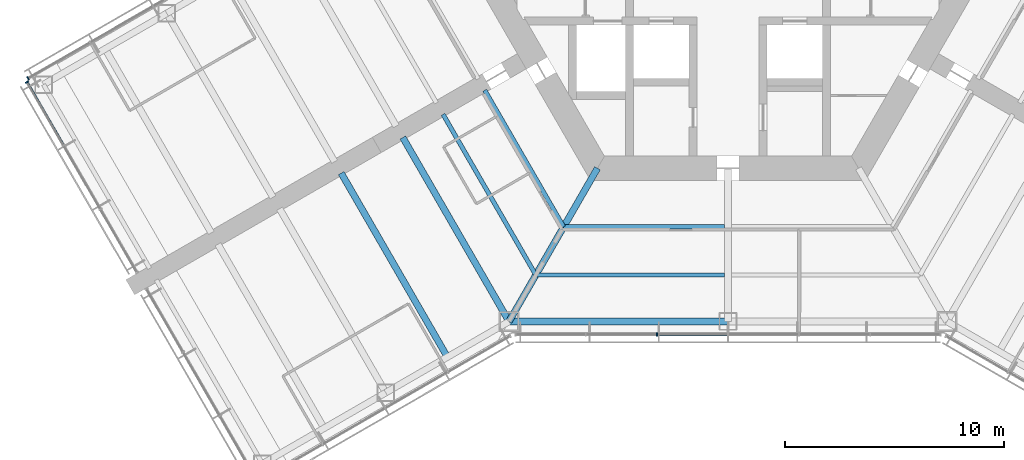
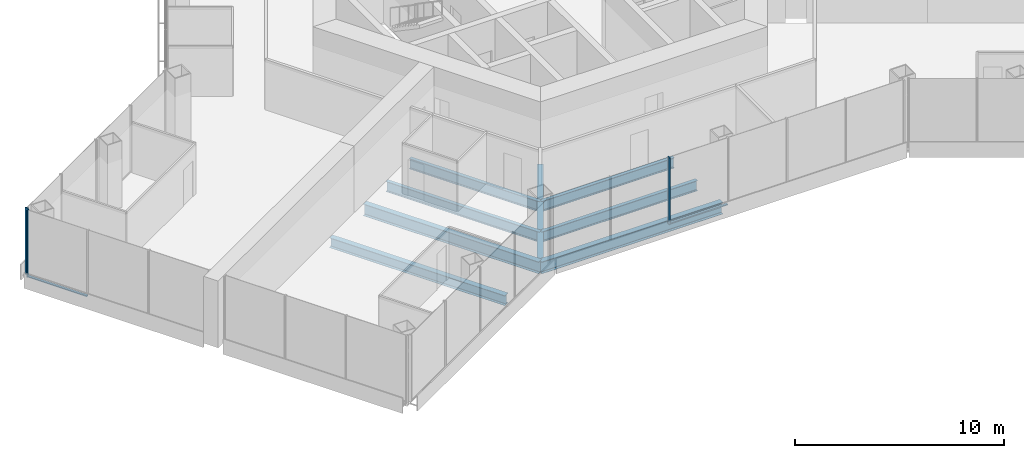
# One storey, part 3 of 18: 8 beams, 5 members, 3 elements without a shape of their own.
"""IFC4 building model written with IfcOpenShell, lengths in metres."""

from ifc_helpers import new_model, si_unit, direction, frame, origin, origin_2d, place, context, subcontext, project, spatial, rectangle, i_section, extrude, material, material_profile, profile_set, type_object, element, aggregate, save


model = new_model("IFC4")

# Units and contexts
model_context = context("Model", 3, precision=1e-05, world=origin(), true_north=direction((0.0, 1.0)))
body_context = subcontext(model_context, "Body", "Model", "MODEL_VIEW")
ifc_project = project(units=[si_unit("LENGTHUNIT", "METRE"), si_unit("AREAUNIT", "SQUARE_METRE"), si_unit("VOLUMEUNIT", "CUBIC_METRE"), si_unit("PLANEANGLEUNIT", "RADIAN"), si_unit("MASSUNIT", "GRAM", prefix="KILO")], contexts=[model_context])

# Site, building, storey
site_placement = place(None, origin())
site = spatial("IfcSite", under=ifc_project, at=site_placement, CompositionType="ELEMENT")
building_placement = place(site_placement, origin())
building = spatial("IfcBuilding", under=site, at=building_placement, Name="Kasaneha Research Tower", CompositionType="ELEMENT")
storey_placement = place(building_placement, frame((0.0, 0.0, 61.199951171875)))
storey = spatial("IfcBuildingStorey", under=building, at=storey_placement, Name="L15", CompositionType="ELEMENT", Elevation=61.199951171875)

# Beams
ifc_material_1 = material(Name="Steel SN490B", Category="steel")
ifc_material_profile_1 = material_profile(ifc_material_1, i_section(OverallWidth=0.199951171875, OverallDepth=0.60009765625, WebThickness=0.010986328125, FlangeThickness=0.01708984375, FilletRadius=0.012939453125, at=origin_2d()), Name="H-600x200x11x17")
ifc_profile_set_1 = profile_set([ifc_material_profile_1], Name="Steel SN490B")
beam_type_1 = type_object("IfcBeamType", Name="B1-3 secondary beam H-600x200x11x17", PredefinedType="JOIST", material=ifc_profile_set_1)
beam_1_placement = place(storey_placement, frame((-7.505615234375, -13.0, -0.449951171875), z_axis=(-0.499998147991, 0.86602647304, 0.0), x_axis=(-0.86602647304, -0.499998147991, 0.0)))
element("IfcBeam", 1, at=beam_1_placement, inside=storey, type_object=beam_type_1, Name="Secondary beam RS210R1 L15", PredefinedType="JOIST", context=body_context, shape_type="SweptSolid", body=[
    extrude(i_section(OverallWidth=0.199951171875, OverallDepth=0.60009765625, WebThickness=0.010986328125, FlangeThickness=0.01708984375, FilletRadius=0.012939453125, at=origin_2d()), origin(), (0.0, 0.0, 1.0), 7.20556640625),
])
beam_2_placement = place(storey_placement, frame((-8.775634765625, -15.199951171875, -0.449951171875), z_axis=(-0.500020829043, 0.866013377797, 0.0), x_axis=(-0.866013377797, -0.500020829043, 0.0)))
element("IfcBeam", 2, at=beam_2_placement, inside=storey, type_object=beam_type_1, Name="Secondary beam RS210R2 L15", PredefinedType="JOIST", context=body_context, shape_type="SweptSolid", body=[
    extrude(i_section(OverallWidth=0.199951171875, OverallDepth=0.60009765625, WebThickness=0.010986328125, FlangeThickness=0.01708984375, FilletRadius=0.012939453125, at=origin_2d()), origin(), (0.0, 0.0, 1.0), 8.475830078125),
])
beam_3_placement = place(storey_placement, frame((-7.505615234375, -13.0, -0.449951171875), z_axis=(1.0, 0.0, 0.0), x_axis=(0.0, 1.0, 0.0)))
element("IfcBeam", 3, at=beam_3_placement, inside=storey, type_object=beam_type_1, Name="Secondary beam RS270L1 L15", PredefinedType="JOIST", context=body_context, shape_type="SweptSolid", body=[
    extrude(i_section(OverallWidth=0.199951171875, OverallDepth=0.60009765625, WebThickness=0.010986328125, FlangeThickness=0.01708984375, FilletRadius=0.012939453125, at=origin_2d()), origin(), (0.0, 0.0, 1.0), 7.355712890625),
])
beam_4_placement = place(storey_placement, frame((-8.775634765625, -15.199951171875, -0.449951171875), z_axis=(1.0, 0.0, 0.0), x_axis=(0.0, 1.0, 0.0)))
element("IfcBeam", 4, at=beam_4_placement, inside=storey, type_object=beam_type_1, Name="Secondary beam RS270L2 L15", PredefinedType="JOIST", context=body_context, shape_type="SweptSolid", body=[
    extrude(i_section(OverallWidth=0.199951171875, OverallDepth=0.60009765625, WebThickness=0.010986328125, FlangeThickness=0.01708984375, FilletRadius=0.012939453125, at=origin_2d()), origin(), (0.0, 0.0, 1.0), 8.625732421875),
])
ifc_material_2 = material(Name="Steel SN490B", Category="steel")
ifc_material_profile_2 = material_profile(ifc_material_2, i_section(OverallWidth=0.300048828125, OverallDepth=0.58203125, WebThickness=0.011962890625, FlangeThickness=0.01708984375, FilletRadius=0.012939453125, at=origin_2d()), Name="H-582x300x12x17")
ifc_profile_set_2 = profile_set([ifc_material_profile_2], Name="Steel SN490B")
beam_type_2 = type_object("IfcBeamType", Name="B2-3 secondary beam H-582x300x12x17", PredefinedType="JOIST", material=ifc_profile_set_2)
beam_5_placement = place(storey_placement, frame((-12.814697265625, -18.945556640625, -0.44091796875), z_axis=(-0.499991164321, 0.866030505006, 0.0), x_axis=(-0.866030505006, -0.499991164321, 0.0)))
element("IfcBeam", 5, at=beam_5_placement, inside=storey, type_object=beam_type_2, Name="Secondary beam WBBN1 L15", PredefinedType="JOIST", context=body_context, shape_type="SweptSolid", body=[
    extrude(i_section(OverallWidth=0.300048828125, OverallDepth=0.58203125, WebThickness=0.011962890625, FlangeThickness=0.01708984375, FilletRadius=0.012939453125, at=origin_2d()), origin(), (0.0, 0.0, 1.0), 9.699951171875),
])

# Curtain wall, member
ifc_material_3 = material(Name="Glass and aluminium", Category="aluminium")
curtain_wall_type = type_object("IfcCurtainWallType", Name="Low-rise office curtain wall", PredefinedType="USERDEFINED", material=ifc_material_3)
curtain_wall_1_placement = place(storey_placement, origin())
curtain_wall_1 = element("IfcCurtainWall", 6, at=curtain_wall_1_placement, inside=storey, type_object=curtain_wall_type, Name="CW-O1 L15 run 02a", ObjectType="UNITISED CURTAIN WALL", PredefinedType="USERDEFINED")
ifc_material_4 = material(Name="Aluminium 6063-T6", Category="aluminium")
ifc_material_profile_3 = material_profile(ifc_material_4, rectangle(XDim=0.06005859375, YDim=0.159912109375, at=origin_2d()), Name="CW-O1 mullion 60x160")
ifc_profile_set_3 = profile_set([ifc_material_profile_3], Name="Aluminium 6063-T6")
member_type_1 = type_object("IfcMemberType", Name="CW-O1 mullion", PredefinedType="MULLION", material=ifc_profile_set_3)
member_1_placement = place(storey_placement, frame((-3.246337890625, -17.92041015625, 0.0), z_axis=(0.0, 0.0, 1.0), x_axis=(1.0, 0.0, 0.0)))
member_1 = element("IfcMember", 7, at=member_1_placement, type_object=member_type_1, Name="CW-O1 mullion 3", PredefinedType="MULLION", context=body_context, shape_type="SweptSolid", body=[
    extrude(rectangle(XDim=0.06005859375, YDim=0.159912109375, at=origin_2d()), origin(), (0.0, 0.0, 1.0), 3.900146484375),
])

curtain_wall_2_placement = place(storey_placement, origin())
curtain_wall_2 = element("IfcCurtainWall", 8, at=curtain_wall_2_placement, inside=storey, type_object=curtain_wall_type, Name="CW-O1 L15 run 13a", ObjectType="UNITISED CURTAIN WALL", PredefinedType="USERDEFINED")
member_2_placement = place(storey_placement, frame((-31.96533203125, -6.21533203125, 0.0), z_axis=(0.0, 0.0, 1.0), x_axis=(-0.866025411464, -0.499999986699, 0.0)))
member_2 = element("IfcMember", 9, at=member_2_placement, type_object=member_type_1, Name="CW-O1 mullion 5", PredefinedType="MULLION", context=body_context, shape_type="SweptSolid", body=[
    extrude(rectangle(XDim=0.06005859375, YDim=0.159912109375, at=origin_2d()), origin(), (0.0, 0.0, 1.0), 3.900146484375),
])
aggregate(curtain_wall_2, [member_2])

curtain_wall_3_placement = place(storey_placement, origin())
curtain_wall_3 = element("IfcCurtainWall", 10, at=curtain_wall_3_placement, inside=storey, type_object=curtain_wall_type, Name="CW-O1 L15 run 14a", ObjectType="UNITISED CURTAIN WALL", PredefinedType="USERDEFINED")
member_3_placement = place(storey_placement, frame((-32.012939453125, -6.39306640625, 0.0), z_axis=(0.0, 0.0, 1.0), x_axis=(0.500000011442, -0.866025397178, 0.0)))
member_3 = element("IfcMember", 11, at=member_3_placement, type_object=member_type_1, Name="CW-O1 mullion 1", PredefinedType="MULLION", context=body_context, shape_type="SweptSolid", body=[
    extrude(rectangle(XDim=0.06005859375, YDim=0.159912109375, at=origin_2d()), origin(), (0.0, 0.0, 1.0), 3.900146484375),
])

# Member
ifc_material_5 = material(Name="Aluminium 6063-T6", Category="aluminium")
ifc_material_profile_4 = material_profile(ifc_material_5, rectangle(XDim=0.1201171875, YDim=0.06005859375, at=origin_2d()), Name="CW-O1 transom 120x60")
ifc_profile_set_4 = profile_set([ifc_material_profile_4], Name="Aluminium 6063-T6")
member_type_2 = type_object("IfcMemberType", Name="CW-O1 transom", PredefinedType="USERDEFINED", material=ifc_profile_set_4)
member_4_placement = place(storey_placement, frame((-3.21630859375, -17.92041015625, 0.030029296875), z_axis=(1.0, 0.0, 0.0), x_axis=(0.0, 1.0, 0.0)))
member_4 = element("IfcMember", 12, at=member_4_placement, type_object=member_type_2, Name="CW-O1 transom 3", ObjectType="TRANSOM", PredefinedType="USERDEFINED", context=body_context, shape_type="SweptSolid", body=[
    extrude(rectangle(XDim=0.1201171875, YDim=0.06005859375, at=origin_2d()), origin(), (0.0, 0.0, 1.0), 3.186279296875),
])

aggregate(curtain_wall_1, [member_1, member_4])

member_5_placement = place(storey_placement, frame((-31.998046875, -6.4189453125, 0.030029296875), z_axis=(0.500025583411, -0.866010632691, 0.0), x_axis=(0.866010632691, 0.500025583411, 0.0)))
member_5 = element("IfcMember", 13, at=member_5_placement, type_object=member_type_2, Name="CW-O1 transom 1", ObjectType="TRANSOM", PredefinedType="USERDEFINED", context=body_context, shape_type="SweptSolid", body=[
    extrude(rectangle(XDim=0.1201171875, YDim=0.06005859375, at=origin_2d()), origin(), (0.0, 0.0, 1.0), 3.276611328125),
])

aggregate(curtain_wall_3, [member_3, member_5])

# Beams
ifc_material_6 = material(Name="Steel SN490B", Category="steel")
ifc_material_profile_5 = material_profile(ifc_material_6, i_section(OverallWidth=0.300048828125, OverallDepth=0.699951171875, WebThickness=0.012939453125, FlangeThickness=0.02392578125, FilletRadius=0.01806640625, at=origin_2d()), Name="H-700x300x13x24")
ifc_profile_set_5 = profile_set([ifc_material_profile_5], Name="Steel SN490B")
beam_type_3 = type_object("IfcBeamType", Name="G1-3 radial girder H-700x300x13x24", PredefinedType="BEAM", material=ifc_profile_set_5)
beam_6_placement = place(storey_placement, frame((-5.961181640625, -10.324951171875, -0.5), z_axis=(-0.49999105496, -0.866030568144, 0.0), x_axis=(0.866030568144, -0.49999105496, 0.0)))
element("IfcBeam", 14, at=beam_6_placement, inside=storey, type_object=beam_type_3, Name="Radial girder RV240 L15", PredefinedType="BEAM", context=body_context, shape_type="SweptSolid", body=[
    extrude(i_section(OverallWidth=0.300048828125, OverallDepth=0.699951171875, WebThickness=0.012939453125, FlangeThickness=0.02392578125, FilletRadius=0.01806640625, at=origin_2d()), origin(), (0.0, 0.0, 1.0), 8.077880859375),
])
ifc_material_7 = material(Name="Steel SN490B", Category="steel")
ifc_material_profile_6 = material_profile(ifc_material_7, i_section(OverallWidth=0.300048828125, OverallDepth=0.69189453125, WebThickness=0.012939453125, FlangeThickness=0.02001953125, FilletRadius=0.01806640625, at=origin_2d()), Name="H-692x300x13x20")
ifc_profile_set_6 = profile_set([ifc_material_profile_6], Name="Steel SN490B")
beam_type_4 = type_object("IfcBeamType", Name="G3-3 plate edge girder H-692x300x13x20", PredefinedType="BEAM", material=ifc_profile_set_6)
beam_7_placement = place(storey_placement, frame((-10.0, -17.320556640625, -0.495849609375), z_axis=(-0.500010041276, 0.866019606374, 0.0), x_axis=(-0.866019606374, -0.500010041276, 0.0)))
element("IfcBeam", 15, at=beam_7_placement, inside=storey, type_object=beam_type_4, Name="Plate edge girder PEBN L15", PredefinedType="BEAM", context=body_context, shape_type="SweptSolid", body=[
    extrude(i_section(OverallWidth=0.300048828125, OverallDepth=0.69189453125, WebThickness=0.012939453125, FlangeThickness=0.02001953125, FilletRadius=0.01806640625, at=origin_2d()), origin(), (0.0, 0.0, 1.0), 9.699951171875),
])
ifc_material_8 = material(Name="Steel SN490B", Category="steel")
ifc_material_profile_7 = material_profile(ifc_material_8, i_section(OverallWidth=0.300048828125, OverallDepth=0.69189453125, WebThickness=0.012939453125, FlangeThickness=0.02001953125, FilletRadius=0.01806640625, at=origin_2d()), Name="H-692x300x13x20")
ifc_profile_set_7 = profile_set([ifc_material_profile_7], Name="Steel SN490B")
beam_type_5 = type_object("IfcBeamType", Name="SB1-3 spandrel beam H-692x300x13x20", PredefinedType="SPANDREL", material=ifc_profile_set_7)
beam_8_placement = place(storey_placement, frame((-10.0, -17.320556640625, -0.495849609375), z_axis=(1.0, 0.0, 0.0), x_axis=(0.0, 1.0, 0.0)))
element("IfcBeam", 16, at=beam_8_placement, inside=storey, type_object=beam_type_5, Name="Spandrel beam SR270L L15", PredefinedType="SPANDREL", context=body_context, shape_type="SweptSolid", body=[
    extrude(i_section(OverallWidth=0.300048828125, OverallDepth=0.69189453125, WebThickness=0.012939453125, FlangeThickness=0.02001953125, FilletRadius=0.01806640625, at=origin_2d()), origin(), (0.0, 0.0, 1.0), 10.0),
])

save(model, "model.ifc")
